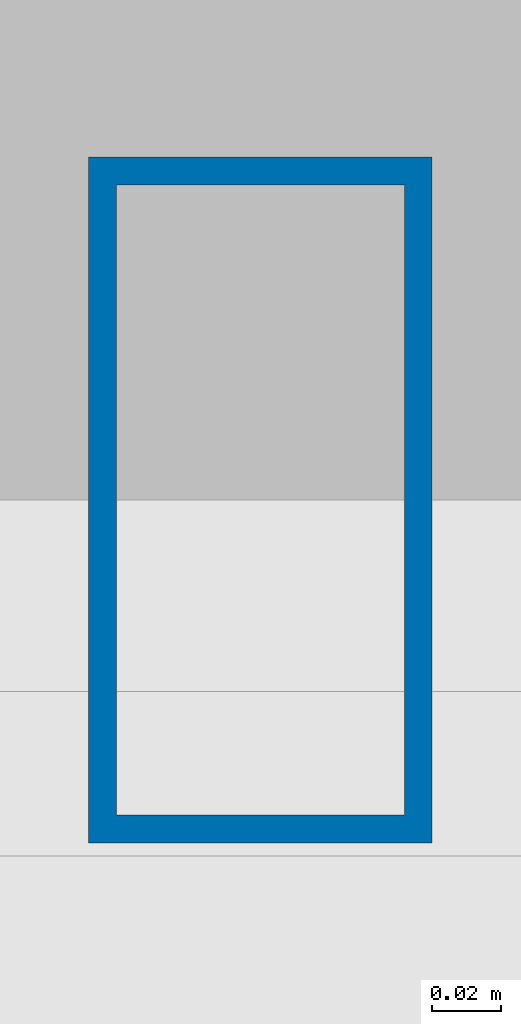
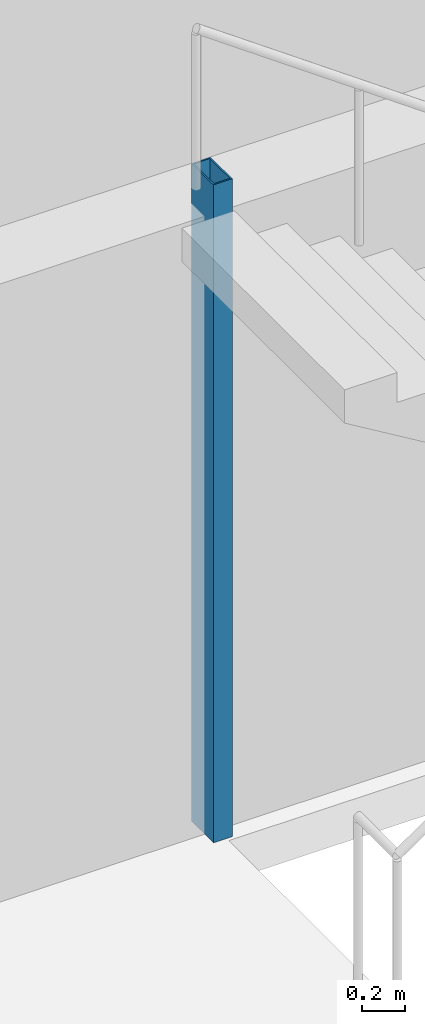
# One storey, part 2 of 18: 1 column.
"""IFC4 building model written with IfcOpenShell, lengths in metres."""

from ifc_helpers import new_model, si_unit, direction, frame, origin, origin_2d, place, context, subcontext, project, spatial, hollow_rectangle, extrude, material, material_profile, profile_set, type_object, element, save


model = new_model("IFC4")

# Units and contexts
model_context = context("Model", 3, precision=1e-05, world=origin(), true_north=direction((0.0, 1.0)))
body_context = subcontext(model_context, "Body", "Model", "MODEL_VIEW")
ifc_project = project(units=[si_unit("LENGTHUNIT", "METRE"), si_unit("AREAUNIT", "SQUARE_METRE"), si_unit("VOLUMEUNIT", "CUBIC_METRE"), si_unit("PLANEANGLEUNIT", "RADIAN"), si_unit("MASSUNIT", "GRAM", prefix="KILO")], contexts=[model_context])

# Site, building, storey
site_placement = place(None, origin())
site = spatial("IfcSite", under=ifc_project, at=site_placement, CompositionType="ELEMENT")
building_placement = place(site_placement, origin())
building = spatial("IfcBuilding", under=site, at=building_placement, Name="Menara Jurai Vektor", CompositionType="ELEMENT")
storey_placement = place(building_placement, frame((0.0, 0.0, 94.800048828125)))
storey = spatial("IfcBuildingStorey", under=building, at=storey_placement, Name="L23", CompositionType="ELEMENT", Elevation=94.800048828125)

# Column
ifc_material = material(Name="Steel S355", Category="steel")
ifc_material_profile = material_profile(ifc_material, hollow_rectangle(XDim=0.10009765625, YDim=0.199951171875, WallThickness=0.008056640625, at=origin_2d()), Name="RHS 200x100x8")
ifc_profile_set = profile_set([ifc_material_profile], Name="Steel S355")
column_type = type_object("IfcColumnType", Name="STR-COL-STAIR", PredefinedType="COLUMN", material=ifc_profile_set)
column_placement = place(storey_placement, frame((-11.1201171875, 5.419921875, 0.0), z_axis=(0.0, 0.0, 1.0), x_axis=(1.0, 0.0, 0.0)))
element("IfcColumn", 1, at=column_placement, inside=storey, type_object=column_type, Name="Stair Well Header Column ST1-P2 L23", PredefinedType="COLUMN", context=body_context, shape_type="SweptSolid", body=[
    extrude(hollow_rectangle(XDim=0.10009765625, YDim=0.199951171875, WallThickness=0.008056640625, at=origin_2d()), origin(), (0.0, 0.0, 1.0), 3.699951171875),
])

save(model, "model.ifc")
